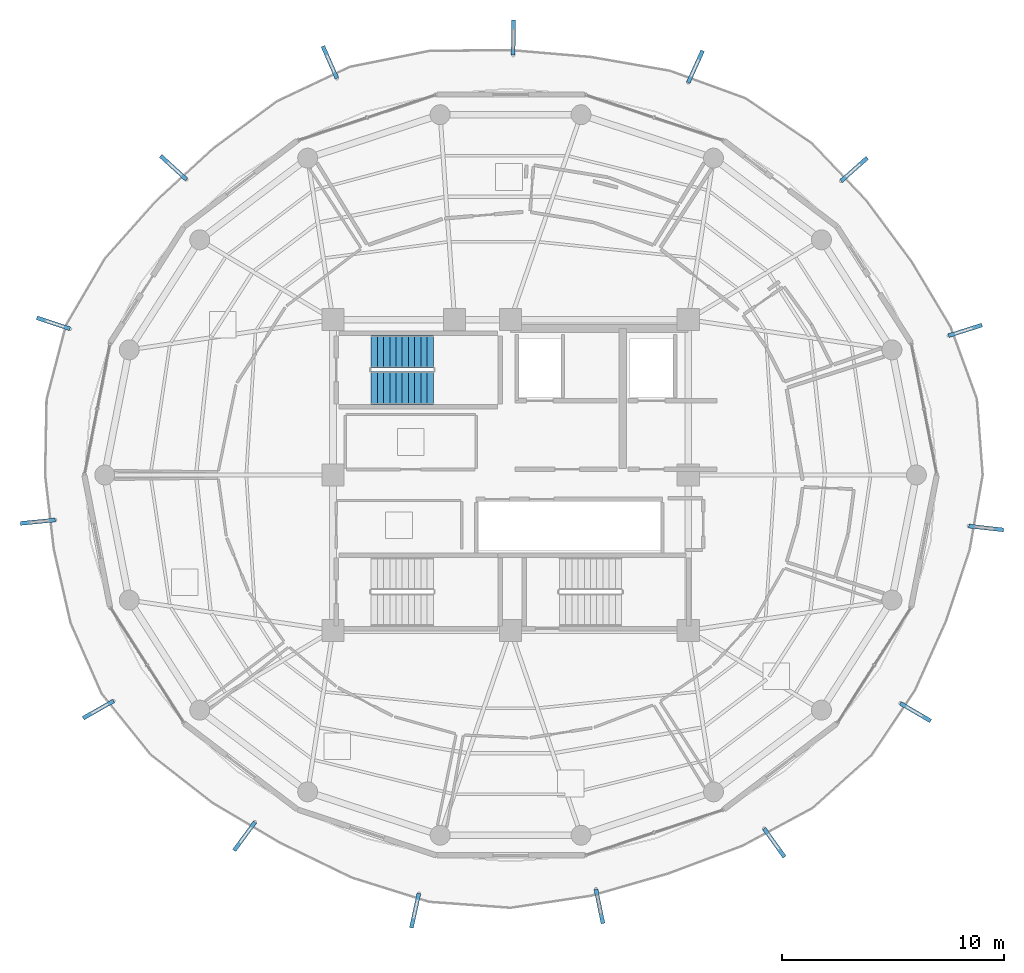
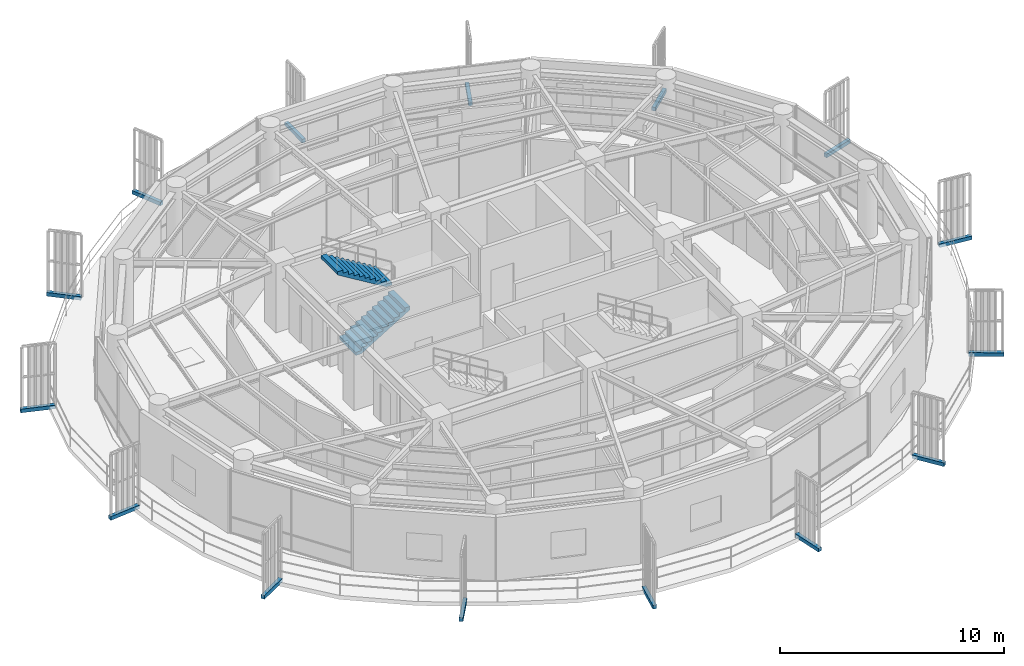
# One storey, part 18 of 22: 15 discrete accessories, 2 stair flights, 1 element without a shape of its own.
"""IFC4 building model written with IfcOpenShell, lengths in metres."""

from ifc_helpers import new_model, si_unit, direction, frame, origin, origin_2d, place, context, subcontext, project, spatial, polyline, rectangle, outline, extrude, source, transform, mapped, material, type_object, element, aggregate, save


model = new_model("IFC4")

# Units and contexts
model_context = context("Model", 3, precision=1e-05, world=origin(), true_north=direction((0.0, 1.0)))
body_context = subcontext(model_context, "Body", "Model", "MODEL_VIEW")
ifc_project = project(units=[si_unit("LENGTHUNIT", "METRE"), si_unit("AREAUNIT", "SQUARE_METRE"), si_unit("VOLUMEUNIT", "CUBIC_METRE"), si_unit("PLANEANGLEUNIT", "RADIAN"), si_unit("MASSUNIT", "GRAM", prefix="KILO")], contexts=[model_context])

# Site, building, storey
site_placement = place(None, origin())
site = spatial("IfcSite", under=ifc_project, at=site_placement, CompositionType="ELEMENT")
building_placement = place(site_placement, origin())
building = spatial("IfcBuilding", under=site, at=building_placement, Name="Kelanora Arch Commons", CompositionType="ELEMENT")
storey_placement = place(building_placement, frame((0.0, 0.0, 259.949951171875)))
storey = spatial("IfcBuildingStorey", under=building, at=storey_placement, Name="L66", CompositionType="ELEMENT", Elevation=259.949951171875)

# Stair, stair flights
ifc_material_1 = material(Name="Concrete C40/50", Category="concrete")
stair_type = type_object("IfcStairType", Name="STR-DL-375", PredefinedType="HALF_TURN_STAIR", material=ifc_material_1)
stair_placement = place(storey_placement, origin())
stair = element("IfcStair", 1, at=stair_placement, inside=storey, type_object=stair_type, Name="L66 ST-T1", PredefinedType="HALF_TURN_STAIR")
stair_flight_type = type_object("IfcStairFlightType", Name="FLT-DL-375", PredefinedType="STRAIGHT", material=ifc_material_1)
stair_flight_1_placement = place(storey_placement, frame((67.719970703125, 61.919921875, 0.0), z_axis=(0.0, 0.0, 1.0), x_axis=(1.0, 0.0, 0.0)))
stair_flight_1 = element("IfcStairFlight", 2, at=stair_flight_1_placement, type_object=stair_flight_type, Name="ST-T1 flight 1", NumberOfRisers=11, NumberOfTreads=10, PredefinedType="STRAIGHT", RiserHeight=0.170454545, TreadLength=0.28, context=body_context, shape_type="SweptSolid", body=[
    extrude(outline(polyline([(0.0, 0.0), (0.0, 0.17041015625), (0.280029296875, 0.17041015625), (0.280029296875, 0.3408203125), (0.56005859375, 0.3408203125), (0.56005859375, 0.511474609375), (0.840087890625, 0.511474609375), (0.840087890625, 0.681884765625), (1.1201171875, 0.681884765625), (1.1201171875, 0.852294921875), (1.39990234375, 0.852294921875), (1.39990234375, 1.022705078125), (1.679931640625, 1.022705078125), (1.679931640625, 1.193115234375), (1.9599609375, 1.193115234375), (1.9599609375, 1.363525390625), (2.239990234375, 1.363525390625), (2.239990234375, 1.5341796875), (2.52001953125, 1.5341796875), (2.52001953125, 1.70458984375), (2.800048828125, 1.70458984375), (2.800048828125, 1.875), (2.800048828125, 1.529052734375), (0.288330078125, 0.0), (0.0, 0.0)])), frame((0.0, 0.739990234375, 0.0), z_axis=(0.0, -1.0, 0.0), x_axis=(1.0, 0.0, 0.0)), (0.0, 0.0, 1.0), 1.47998046875),
])
stair_flight_2_placement = place(storey_placement, frame((70.52001953125, 63.550048828125, 1.875), z_axis=(0.0, 0.0, 1.0), x_axis=(-1.0, 0.0, 0.0)))
stair_flight_2 = element("IfcStairFlight", 3, at=stair_flight_2_placement, type_object=stair_flight_type, Name="ST-T1 flight 2", NumberOfRisers=11, NumberOfTreads=10, PredefinedType="STRAIGHT", RiserHeight=0.170454545, TreadLength=0.28, context=body_context, shape_type="SweptSolid", body=[
    extrude(outline(polyline([(0.0, 0.0), (0.0, 0.17041015625), (0.280029296875, 0.17041015625), (0.280029296875, 0.3408203125), (0.56005859375, 0.3408203125), (0.56005859375, 0.511474609375), (0.840087890625, 0.511474609375), (0.840087890625, 0.681884765625), (1.1201171875, 0.681884765625), (1.1201171875, 0.852294921875), (1.39990234375, 0.852294921875), (1.39990234375, 1.022705078125), (1.679931640625, 1.022705078125), (1.679931640625, 1.193115234375), (1.9599609375, 1.193115234375), (1.9599609375, 1.363525390625), (2.239990234375, 1.363525390625), (2.239990234375, 1.5341796875), (2.52001953125, 1.5341796875), (2.52001953125, 1.70458984375), (2.800048828125, 1.70458984375), (2.800048828125, 1.875), (2.800048828125, 1.529052734375), (0.288330078125, 0.0), (0.0, 0.0)])), frame((0.0, 0.739990234375, 0.0), z_axis=(0.0, -1.0, 0.0), x_axis=(1.0, 0.0, 0.0)), (0.0, 0.0, 1.0), 1.47998046875),
])
aggregate(stair, [stair_flight_1, stair_flight_2])

# Discrete accessories
ifc_material_2 = material(Name="Stainless steel 316 marine fin bracket", Category="steel")
discrete_accessory_type = type_object("IfcDiscreteAccessoryType", Name="ACC-FIN-BRK", PredefinedType="BRACKET", material=ifc_material_2)
shared_shape = source(origin(), body_context, "Body", "SweptSolid", [
    extrude(rectangle(XDim=1.577392578125, YDim=0.179931640625, at=origin_2d()), origin(), (0.0, 0.0, 1.0), 0.199951171875),
])
for number, where, z_axis, x_axis, name in (
    (4, (92.239501953125, 47.3173828125, -0.16015625), (0.0, 0.0, 1.0), (0.862866737202, -0.505431492718, 0.0), "Sweeping Fin Cantilever Spine Bracket L66-00"),
    (5, (95.422119140625, 55.61328125, -0.16015625), (0.0, 0.0, 1.0), (0.993845496974, -0.110775124211, 0.0), "Sweeping Fin Cantilever Spine Bracket L66-01"),
    (6, (94.479248046875, 64.513427734375, -0.16015625), (0.0, 0.0, 1.0), (0.952979341517, 0.303035269633, 0.0), "Sweeping Fin Cantilever Spine Bracket L66-02"),
    (7, (89.478271484375, 71.76318359375, -0.16015625), (0.0, 0.0, 1.0), (0.747334400366, 0.664448112368, 0.0), "Sweeping Fin Cantilever Spine Bracket L66-03"),
    (8, (82.326904296875, 76.393310546875, -0.16015625), (0.0, 0.0, 1.0), (0.412468552072, 0.910971840153, 0.0), "Sweeping Fin Cantilever Spine Bracket L66-04"),
    (9, (74.122802734375, 77.697265625, -0.16015625), (0.0, 0.0, 1.0), (0.006283143966, 0.999980260856, 0.0), "Sweeping Fin Cantilever Spine Bracket L66-05"),
    (10, (65.861328125, 76.5908203125, -0.16015625), (0.0, 0.0, 1.0), (-0.400988676813, 0.916083009922, 0.0), "Sweeping Fin Cantilever Spine Bracket L66-06"),
    (11, (58.81884765625, 71.84130859375, -0.16015625), (0.0, 0.0, 1.0), (-0.738925912503, 0.673786684219, 0.0), "Sweeping Fin Cantilever Spine Bracket L66-07"),
    (12, (53.406494140625, 64.83349609375, -0.16015625), (0.0, 0.0, 1.0), (-0.94909614499, 0.314986519655, 0.0), "Sweeping Fin Cantilever Spine Bracket L66-08"),
    (13, (52.70654296875, 55.89599609375, -0.16015625), (0.0, 0.0, 1.0), (-0.995159031741, -0.09827767572, 0.0), "Sweeping Fin Cantilever Spine Bracket L66-09"),
    (14, (55.433349609375, 47.43408203125, -0.16015625), (0.0, 0.0, 1.0), (-0.869149881167, -0.494548768138, 0.0), "Sweeping Fin Cantilever Spine Bracket L66-10"),
    (15, (62.0185546875, 41.72314453125, -0.16015625), (0.0, 0.0, 1.0), (-0.592856820161, -0.805307885711, 0.0), "Sweeping Fin Cantilever Spine Bracket L66-11"),
    (16, (69.701904296875, 38.380615234375, -0.16015625), (0.0, 0.0, 1.0), (-0.214053429014, -0.976821953852, 0.0), "Sweeping Fin Cantilever Spine Bracket L66-12"),
    (17, (78.00341796875, 38.5703125, -0.16015625), (0.0, 0.0, 1.0), (0.201761744624, -0.979434632023, 0.0), "Sweeping Fin Cantilever Spine Bracket L66-13"),
    (18, (85.87939453125, 41.43310546875, -0.16015625), (0.0, 0.0, 1.0), (0.582690479669, -0.812694164433, 0.0), "Sweeping Fin Cantilever Spine Bracket L66-14"),
):
    element("IfcDiscreteAccessory", number, at=place(storey_placement, frame(where, z_axis=z_axis, x_axis=x_axis)), inside=storey, type_object=discrete_accessory_type, Name=name, PredefinedType="BRACKET", context=body_context, shape_type="MappedRepresentation", body=[
        mapped(shared_shape, transform((0.0, 0.0, 0.0), scale=1.0)),
    ])

save(model, "model.ifc")
